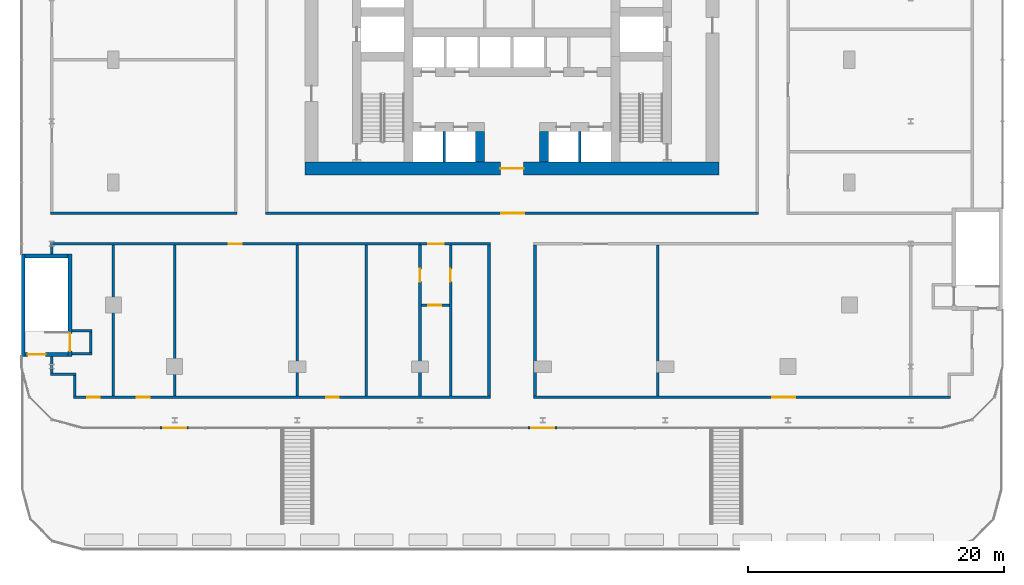
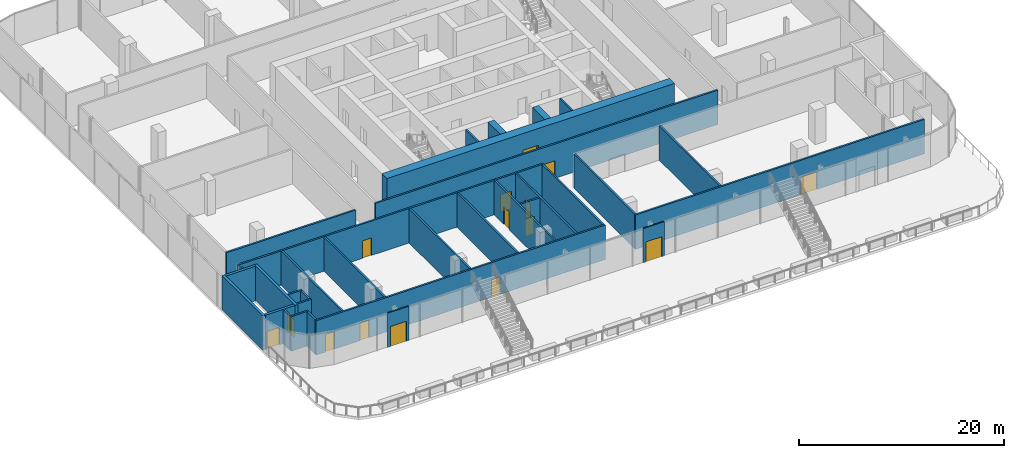
# One storey, part 22 of 32: 34 walls, 15 doors, 15 openings.
"""IFC4 building model written with IfcOpenShell, lengths in metres."""

from ifc_helpers import new_model, si_unit, direction, frame, frame_2d, origin, place, context, subcontext, project, spatial, rectangle, extrude, material, layer, layer_set, type_object, element, fill, save


model = new_model("IFC4")

# Units and contexts
model_context = context("Model", 3, precision=1e-05, world=origin(), true_north=direction((0.0, 1.0)))
body_context = subcontext(model_context, "Body", "Model", "MODEL_VIEW")
ifc_project = project(units=[si_unit("LENGTHUNIT", "METRE"), si_unit("AREAUNIT", "SQUARE_METRE"), si_unit("VOLUMEUNIT", "CUBIC_METRE"), si_unit("PLANEANGLEUNIT", "RADIAN"), si_unit("MASSUNIT", "GRAM", prefix="KILO")], contexts=[model_context])

# Site, building, storey
site_placement = place(None, origin())
site = spatial("IfcSite", under=ifc_project, at=site_placement, CompositionType="ELEMENT")
building_placement = place(site_placement, origin())
building = spatial("IfcBuilding", under=site, at=building_placement, Name="Madar Terraces", CompositionType="ELEMENT")
storey_placement = place(building_placement, frame((0.0, 0.0, 19.5)))
storey = spatial("IfcBuildingStorey", under=building, at=storey_placement, Name="L04", CompositionType="ELEMENT", Elevation=19.5)

# Walls
ifc_material_1 = material(Name="Concrete C80/95", Category="concrete")
ifc_layer_1 = layer(ifc_material_1, 0.699951171875)
ifc_layer_set_1 = layer_set([ifc_layer_1], Name="Concrete C80/95 (CIW1 RC wall 700)")
wall_type_1 = type_object("IfcWallType", Name="CIW1 RC wall 700", PredefinedType="SHEAR", material=ifc_layer_set_1)
for number, where, z_axis, x_axis, name in (
    (1, (28.699951171875, 16.0, 0.0), (0.0, 0.0, 1.0), (0.0, 1.0, 0.0), "CORE SHAFT WALL"),
    (2, (33.699951171875, 16.0, 0.0), (0.0, 0.0, 1.0), (0.0, 1.0, 0.0), "CORE SHAFT WALL"),
):
    element("IfcWall", number, at=place(storey_placement, frame(where, z_axis=z_axis, x_axis=x_axis)), inside=storey, type_object=wall_type_1, Name=name, PredefinedType="SHEAR", context=body_context, shape_type="SweptSolid", body=[
        extrude(rectangle(XDim=2.39990234375, YDim=0.699951171875, at=frame_2d((1.199951171875, 0.0))), origin(), (0.0, 0.0, 1.0), 4.10009765625),
    ])

# Wall, opening, door
ifc_material_2 = material(Name="Concrete C80/95", Category="concrete")
ifc_layer_2 = layer(ifc_material_2, 1.0)
ifc_layer_set_2 = layer_set([ifc_layer_2], Name="Concrete C80/95 (CRW1 RC wall 1000)")
wall_type_2 = type_object("IfcWallType", Name="CRW1 RC wall 1000", PredefinedType="SHEAR", material=ifc_layer_set_2)
wall_1_placement = place(storey_placement, frame((15.0, 15.5, 0.0), z_axis=(0.0, 0.0, 1.0), x_axis=(1.0, 0.0, 0.0)))
wall_1 = element("IfcWall", 3, at=wall_1_placement, inside=storey, type_object=wall_type_2, Name="CORE OUTER WALL", PredefinedType="SHEAR", context=body_context, shape_type="SweptSolid", body=[
    extrude(rectangle(XDim=32.39990234375, YDim=1.0, at=frame_2d((16.199951171875, 0.0))), origin(), (0.0, 0.0, 1.0), 4.10009765625),
])
opening_1_placement = place(wall_1_placement, frame((15.300048828125, 0.0, 0.0)))
opening_1 = element("IfcOpeningElement", 4, at=opening_1_placement, cuts=wall_1, Name="Opening KD1", PredefinedType="OPENING", context=body_context, shape_type="SweptSolid", body=[
    extrude(rectangle(XDim=1.800048828125, YDim=2.10009765625, at=frame_2d((0.89990234375, 1.050048828125))), frame((0.0, 0.510009765625, 0.0), z_axis=(0.0, -1.0, 0.0), x_axis=(1.0, 0.0, 0.0)), (0.0, 0.0, 1.0), 1.02001953125),
])
ifc_material_3 = material(Name="Steel door leaf", Category="steel")
door_type_1 = type_object("IfcDoorType", Name="Lobby door pair 1800 x 2100", OperationType="DOUBLE_DOOR_SINGLE_SWING", PredefinedType="DOOR", material=ifc_material_3)
door_1_placement = place(opening_1_placement, frame((1.800048828125, 0.0, 0.0), z_axis=(0.0, 0.0, 1.0), x_axis=(-1.0, 0.0, 0.0)))
door_1 = element("IfcDoor", 5, at=door_1_placement, inside=storey, type_object=door_type_1, Name="LIFT LOBBY DOOR", OperationType="DOUBLE_DOOR_SINGLE_SWING", OverallHeight=2.10009765625, OverallWidth=1.800048828125, PredefinedType="DOOR", context=body_context, shape_type="SweptSolid", body=[
    extrude(rectangle(XDim=1.800048828125, YDim=2.10009765625, at=frame_2d((0.89990234375, 1.050048828125))), frame((0.0, 0.02490234375, 0.0), z_axis=(0.0, -1.0, 0.0), x_axis=(1.0, 0.0, 0.0)), (0.0, 0.0, 1.0), 0.050048828125),
])
fill(opening_1, door_1)

# Walls
ifc_material_4 = material(Name="Concrete C40/50", Category="concrete")
ifc_layer_3 = layer(ifc_material_4, 0.199951171875)
ifc_layer_set_3 = layer_set([ifc_layer_3], Name="Core shaft dividing wall 200 C40/50")
wall_type_3 = type_object("IfcWallType", Name="Core shaft dividing wall 200 C40/50", PredefinedType="SOLIDWALL", material=ifc_layer_set_3)
for number, where, z_axis, x_axis, name in (
    (6, (25.89990234375, 16.0, 0.0), (0.0, 0.0, 1.0), (0.0, 1.0, 0.0), "SHAFT DIVIDING WALL"),
    (7, (36.5, 16.0, 0.0), (0.0, 0.0, 1.0), (0.0, 1.0, 0.0), "SHAFT DIVIDING WALL"),
):
    element("IfcWall", number, at=place(storey_placement, frame(where, z_axis=z_axis, x_axis=x_axis)), inside=storey, type_object=wall_type_3, Name=name, PredefinedType="SOLIDWALL", context=body_context, shape_type="SweptSolid", body=[
        extrude(rectangle(XDim=2.39990234375, YDim=0.199951171875, at=frame_2d((1.199951171875, 0.0))), origin(), (0.0, 0.0, 1.0), 4.10009765625),
    ])

# Wall, opening, door
ifc_material_5 = material(Name="Aluminium composite panel, black, over insulated backing", Category="aluminium")
ifc_layer_4 = layer(ifc_material_5, 0.14990234375)
ifc_layer_set_4 = layer_set([ifc_layer_4], Name="Facade bay panel 150")
wall_type_4 = type_object("IfcWallType", Name="Facade bay panel 150", PredefinedType="SOLIDWALL", material=ifc_layer_set_4)
wall_2_placement = place(storey_placement, frame((3.60009765625, -4.800048828125, 0.0), z_axis=(0.0, 0.0, 1.0), x_axis=(1.0, 0.0, 0.0)))
wall_2 = element("IfcWall", 8, at=wall_2_placement, inside=storey, type_object=wall_type_4, Name="Facade bay panel", PredefinedType="SOLIDWALL", context=body_context, shape_type="SweptSolid", body=[
    extrude(rectangle(XDim=2.39990234375, YDim=0.14990234375, at=frame_2d((1.199951171875, 0.0))), origin(), (0.0, 0.0, 1.0), 4.10009765625),
])
opening_2_placement = place(wall_2_placement, frame((0.300048828125, 0.0, 0.0)))
opening_2 = element("IfcOpeningElement", 9, at=opening_2_placement, cuts=wall_2, Name="Opening ED1", PredefinedType="OPENING", context=body_context, shape_type="SweptSolid", body=[
    extrude(rectangle(XDim=1.800048828125, YDim=2.39990234375, at=frame_2d((0.89990234375, 1.199951171875))), frame((0.0, 0.0849609375, 0.0), z_axis=(0.0, -1.0, 0.0), x_axis=(1.0, 0.0, 0.0)), (0.0, 0.0, 1.0), 0.169921875),
])
ifc_material_6 = material(Name="Glass, clear, with black aluminium frame", Category="aluminium")
door_type_2 = type_object("IfcDoorType", Name="Balcony and terrace sliding door 1800 x 2400", OperationType="SLIDING_TO_LEFT", PredefinedType="DOOR", material=ifc_material_6)
door_2_placement = place(opening_2_placement, origin())
door_2 = element("IfcDoor", 10, at=door_2_placement, inside=storey, type_object=door_type_2, Name="Balcony door", OperationType="SLIDING_TO_LEFT", OverallHeight=2.39990234375, OverallWidth=1.800048828125, PredefinedType="DOOR", context=body_context, shape_type="SweptSolid", body=[
    extrude(rectangle(XDim=1.800048828125, YDim=2.39990234375, at=frame_2d((0.89990234375, 1.199951171875))), frame((0.0, 0.02490234375, 0.0), z_axis=(0.0, -1.0, 0.0), x_axis=(1.0, 0.0, 0.0)), (0.0, 0.0, 1.0), 0.050048828125),
])
fill(opening_2, door_2)

wall_3_placement = place(storey_placement, frame((32.39990234375, -4.800048828125, 0.0), z_axis=(0.0, 0.0, 1.0), x_axis=(1.0, 0.0, 0.0)))
wall_3 = element("IfcWall", 11, at=wall_3_placement, inside=storey, type_object=wall_type_4, Name="Facade bay panel", PredefinedType="SOLIDWALL", context=body_context, shape_type="SweptSolid", body=[
    extrude(rectangle(XDim=2.400146484375, YDim=0.14990234375, at=frame_2d((1.2001953125, 0.0))), origin(), (0.0, 0.0, 1.0), 4.10009765625),
])
opening_3_placement = place(wall_3_placement, frame((0.300048828125, 0.0, 0.0)))
opening_3 = element("IfcOpeningElement", 12, at=opening_3_placement, cuts=wall_3, Name="Opening ED1", PredefinedType="OPENING", context=body_context, shape_type="SweptSolid", body=[
    extrude(rectangle(XDim=1.800048828125, YDim=2.39990234375, at=frame_2d((0.89990234375, 1.199951171875))), frame((0.0, 0.0849609375, 0.0), z_axis=(0.0, -1.0, 0.0), x_axis=(1.0, 0.0, 0.0)), (0.0, 0.0, 1.0), 0.169921875),
])
door_3_placement = place(opening_3_placement, origin())
door_3 = element("IfcDoor", 13, at=door_3_placement, inside=storey, type_object=door_type_2, Name="Balcony door", OperationType="SLIDING_TO_RIGHT", OverallHeight=2.39990234375, OverallWidth=1.800048828125, PredefinedType="DOOR", context=body_context, shape_type="SweptSolid", body=[
    extrude(rectangle(XDim=1.800048828125, YDim=2.39990234375, at=frame_2d((0.89990234375, 1.199951171875))), frame((0.0, 0.02490234375, 0.0), z_axis=(0.0, -1.0, 0.0), x_axis=(1.0, 0.0, 0.0)), (0.0, 0.0, 1.0), 0.050048828125),
])
fill(opening_3, door_3)

# Wall, openings, doors
ifc_material_7 = material(Name="Gypsum board partition, fire-rated")
ifc_layer_5 = layer(ifc_material_7, 0.199951171875)
ifc_layer_set_5 = layer_set([ifc_layer_5], Name="Partition 200 EI 60")
wall_type_5 = type_object("IfcWallType", Name="Partition 200 EI 60", PredefinedType="PARTITIONING", material=ifc_layer_set_5)
wall_4_placement = place(storey_placement, frame((-3.10009765625, -2.39990234375, 0.0), z_axis=(0.0, 0.0, 1.0), x_axis=(1.0, 0.0, 0.0)))
wall_4 = element("IfcWall", 14, at=wall_4_placement, inside=storey, type_object=wall_type_5, Name="Wall ACCESSIBLE WC + FITNESS STUDIO", PredefinedType="PARTITIONING", context=body_context, shape_type="SweptSolid", body=[
    extrude(rectangle(XDim=32.60009765625, YDim=0.199951171875, at=frame_2d((16.300048828125, 0.0))), origin(), (0.0, 0.0, 1.0), 4.10009765625),
])
opening_4_placement = place(wall_4_placement, frame((1.050048828125, 0.0, 0.0)))
opening_4 = element("IfcOpeningElement", 15, at=opening_4_placement, cuts=wall_4, Name="Opening D31", PredefinedType="OPENING", context=body_context, shape_type="SweptSolid", body=[
    extrude(rectangle(XDim=1.0, YDim=2.10009765625, at=frame_2d((0.5, 1.050048828125))), frame((0.0, 0.10986328125, 0.0), z_axis=(0.0, -1.0, 0.0), x_axis=(1.0, 0.0, 0.0)), (0.0, 0.0, 1.0), 0.219970703125),
])
opening_5_placement = place(wall_4_placement, frame((4.949951171875, 0.0, 0.0)))
opening_5 = element("IfcOpeningElement", 16, at=opening_5_placement, cuts=wall_4, Name="Opening D31", PredefinedType="OPENING", context=body_context, shape_type="SweptSolid", body=[
    extrude(rectangle(XDim=1.0, YDim=2.10009765625, at=frame_2d((0.5, 1.050048828125))), frame((0.0, 0.10986328125, 0.0), z_axis=(0.0, -1.0, 0.0), x_axis=(1.0, 0.0, 0.0)), (0.0, 0.0, 1.0), 0.219970703125),
])
opening_6_placement = place(wall_4_placement, frame((19.75, 0.0, 0.0)))
opening_6 = element("IfcOpeningElement", 17, at=opening_6_placement, cuts=wall_4, Name="Opening D31", PredefinedType="OPENING", context=body_context, shape_type="SweptSolid", body=[
    extrude(rectangle(XDim=1.0, YDim=2.10009765625, at=frame_2d((0.5, 1.050048828125))), frame((0.0, 0.10986328125, 0.0), z_axis=(0.0, -1.0, 0.0), x_axis=(1.0, 0.0, 0.0)), (0.0, 0.0, 1.0), 0.219970703125),
])
ifc_material_8 = material(Name="Timber door leaf, fire-rated", Category="wood")
door_type_3 = type_object("IfcDoorType", Name="Podium door 1000 x 2100 FD30S", OperationType="NOTDEFINED", PredefinedType="DOOR", material=ifc_material_8)
door_4_placement = place(opening_4_placement, origin())
door_4 = element("IfcDoor", 18, at=door_4_placement, inside=storey, type_object=door_type_3, Name="Door GYMNASIUM / PODIUM CORRIDOR", OperationType="SINGLE_SWING_LEFT", OverallHeight=2.10009765625, OverallWidth=1.0, PredefinedType="DOOR", context=body_context, shape_type="SweptSolid", body=[
    extrude(rectangle(XDim=1.0, YDim=2.10009765625, at=frame_2d((0.5, 1.050048828125))), frame((0.0, 0.02490234375, 0.0), z_axis=(0.0, -1.0, 0.0), x_axis=(1.0, 0.0, 0.0)), (0.0, 0.0, 1.0), 0.050048828125),
])
fill(opening_4, door_4)
door_5_placement = place(opening_5_placement, origin())
door_5 = element("IfcDoor", 19, at=door_5_placement, inside=storey, type_object=door_type_3, Name="Door FREE WEIGHTS GYM / PODIUM CORRIDOR", OperationType="SINGLE_SWING_LEFT", OverallHeight=2.10009765625, OverallWidth=1.0, PredefinedType="DOOR", context=body_context, shape_type="SweptSolid", body=[
    extrude(rectangle(XDim=1.0, YDim=2.10009765625, at=frame_2d((0.5, 1.050048828125))), frame((0.0, 0.02490234375, 0.0), z_axis=(0.0, -1.0, 0.0), x_axis=(1.0, 0.0, 0.0)), (0.0, 0.0, 1.0), 0.050048828125),
])
fill(opening_5, door_5)
door_6_placement = place(opening_6_placement, origin())
door_6 = element("IfcDoor", 20, at=door_6_placement, inside=storey, type_object=door_type_3, Name="Door YOGA STUDIO / PODIUM CORRIDOR", OperationType="SINGLE_SWING_RIGHT", OverallHeight=2.10009765625, OverallWidth=1.0, PredefinedType="DOOR", context=body_context, shape_type="SweptSolid", body=[
    extrude(rectangle(XDim=1.0, YDim=2.10009765625, at=frame_2d((0.5, 1.050048828125))), frame((0.0, 0.02490234375, 0.0), z_axis=(0.0, -1.0, 0.0), x_axis=(1.0, 0.0, 0.0)), (0.0, 0.0, 1.0), 0.050048828125),
])
fill(opening_6, door_6)

# Wall, opening, door
wall_5_placement = place(storey_placement, frame((32.89990234375, -2.39990234375, 0.0), z_axis=(0.0, 0.0, 1.0), x_axis=(1.0, 0.0, 0.0)))
wall_5 = element("IfcWall", 21, at=wall_5_placement, inside=storey, type_object=wall_type_5, Name="Wall LAUNDRETTE + RESIDENTS LOUNGE", PredefinedType="PARTITIONING", context=body_context, shape_type="SweptSolid", body=[
    extrude(rectangle(XDim=32.60009765625, YDim=0.199951171875, at=frame_2d((16.300048828125, 0.0))), origin(), (0.0, 0.0, 1.0), 4.10009765625),
])
opening_7_placement = place(wall_5_placement, frame((18.64990234375, 0.0, 0.0)))
opening_7 = element("IfcOpeningElement", 22, at=opening_7_placement, cuts=wall_5, Name="Opening D30", PredefinedType="OPENING", context=body_context, shape_type="SweptSolid", body=[
    extrude(rectangle(XDim=1.800048828125, YDim=2.10009765625, at=frame_2d((0.89990234375, 1.050048828125))), frame((0.0, 0.10986328125, 0.0), z_axis=(0.0, -1.0, 0.0), x_axis=(1.0, 0.0, 0.0)), (0.0, 0.0, 1.0), 0.219970703125),
])
ifc_material_9 = material(Name="Timber door leaf, fire-rated", Category="wood")
door_type_4 = type_object("IfcDoorType", Name="Podium double door 1800 x 2100 FD30S", OperationType="DOUBLE_DOOR_SINGLE_SWING", PredefinedType="DOOR", material=ifc_material_9)
door_7_placement = place(opening_7_placement, origin())
door_7 = element("IfcDoor", 23, at=door_7_placement, inside=storey, type_object=door_type_4, Name="Door RESIDENTS LOUNGE / PODIUM CORRIDOR", OperationType="DOUBLE_DOOR_SINGLE_SWING", OverallHeight=2.10009765625, OverallWidth=1.800048828125, PredefinedType="DOOR", context=body_context, shape_type="SweptSolid", body=[
    extrude(rectangle(XDim=1.800048828125, YDim=2.10009765625, at=frame_2d((0.89990234375, 1.050048828125))), frame((0.0, 0.02490234375, 0.0), z_axis=(0.0, -1.0, 0.0), x_axis=(1.0, 0.0, 0.0)), (0.0, 0.0, 1.0), 0.050048828125),
])
fill(opening_7, door_7)

# Walls
wall_6_placement = place(storey_placement, frame((-4.89990234375, -0.60009765625, 0.0), z_axis=(0.0, 0.0, 1.0), x_axis=(1.0, 0.0, 0.0)))
element("IfcWall", 24, at=wall_6_placement, inside=storey, type_object=wall_type_5, Name="Wall GYMNASIUM / PODIUM CORRIDOR", PredefinedType="PARTITIONING", context=body_context, shape_type="SweptSolid", body=[
    extrude(rectangle(XDim=2.0, YDim=0.199951171875, at=frame_2d((1.0, 0.0))), origin(), (0.0, 0.0, 1.0), 4.10009765625),
])
for number, where, z_axis, x_axis, name in (
    (25, (-3.25, 1.0, 0.0), (0.0, 0.0, 1.0), (1.0, 0.0, 0.0), "Wall GYMNASIUM / PODIUM CORRIDOR"),
    (26, (-3.25, 2.800048828125, 0.0), (0.0, 0.0, 1.0), (1.0, 0.0, 0.0), "Wall GYMNASIUM / PODIUM CORRIDOR"),
):
    element("IfcWall", number, at=place(storey_placement, frame(where, z_axis=z_axis, x_axis=x_axis)), inside=storey, type_object=wall_type_5, Name=name, PredefinedType="PARTITIONING", context=body_context, shape_type="SweptSolid", body=[
        extrude(rectangle(XDim=1.60009765625, YDim=0.199951171875, at=frame_2d((0.800048828125, 0.0))), origin(), (0.0, 0.0, 1.0), 4.10009765625),
    ])

# Wall, opening, door
wall_7_placement = place(storey_placement, frame((26.300048828125, 4.800048828125, 0.0), z_axis=(0.0, 0.0, 1.0), x_axis=(-1.0, 0.0, 0.0)))
wall_7 = element("IfcWall", 27, at=wall_7_placement, inside=storey, type_object=wall_type_5, Name="Wall WC LOBBY / ACCESSIBLE WC", PredefinedType="PARTITIONING", context=body_context, shape_type="SweptSolid", body=[
    extrude(rectangle(XDim=2.199951171875, YDim=0.199951171875, at=frame_2d((1.10009765625, 0.0))), origin(), (0.0, 0.0, 1.0), 4.10009765625),
])
opening_8_placement = place(wall_7_placement, frame((0.64990234375, 0.0, 0.0)))
opening_8 = element("IfcOpeningElement", 28, at=opening_8_placement, cuts=wall_7, Name="Opening D31", PredefinedType="OPENING", context=body_context, shape_type="SweptSolid", body=[
    extrude(rectangle(XDim=1.0, YDim=2.10009765625, at=frame_2d((0.5, 1.050048828125))), frame((0.0, 0.10986328125, 0.0), z_axis=(0.0, -1.0, 0.0), x_axis=(1.0, 0.0, 0.0)), (0.0, 0.0, 1.0), 0.219970703125),
])
door_8_placement = place(opening_8_placement, origin())
door_8 = element("IfcDoor", 29, at=door_8_placement, inside=storey, type_object=door_type_3, Name="Door WC LOBBY / ACCESSIBLE WC", OperationType="SINGLE_SWING_RIGHT", OverallHeight=2.10009765625, OverallWidth=1.0, PredefinedType="DOOR", context=body_context, shape_type="SweptSolid", body=[
    extrude(rectangle(XDim=1.0, YDim=2.10009765625, at=frame_2d((0.5, 1.050048828125))), frame((0.0, 0.02490234375, 0.0), z_axis=(0.0, -1.0, 0.0), x_axis=(1.0, 0.0, 0.0)), (0.0, 0.0, 1.0), 0.050048828125),
])
fill(opening_8, door_8)

wall_8_placement = place(storey_placement, frame((24.0, 9.60009765625, 0.0), z_axis=(0.0, 0.0, 1.0), x_axis=(-1.0, 0.0, 0.0)))
wall_8 = element("IfcWall", 30, at=wall_8_placement, inside=storey, type_object=wall_type_5, Name="Wall FITNESS STUDIO + FREE WEIGHTS GYM", PredefinedType="PARTITIONING", context=body_context, shape_type="SweptSolid", body=[
    extrude(rectangle(XDim=28.89990234375, YDim=0.199951171875, at=frame_2d((14.449951171875, 0.0))), origin(), (0.0, 0.0, 1.0), 4.10009765625),
])
opening_9_placement = place(wall_8_placement, frame((13.949951171875, 0.0, 0.0)))
opening_9 = element("IfcOpeningElement", 31, at=opening_9_placement, cuts=wall_8, Name="Opening D31", PredefinedType="OPENING", context=body_context, shape_type="SweptSolid", body=[
    extrude(rectangle(XDim=1.0, YDim=2.10009765625, at=frame_2d((0.5, 1.050048828125))), frame((0.0, 0.10986328125, 0.0), z_axis=(0.0, -1.0, 0.0), x_axis=(1.0, 0.0, 0.0)), (0.0, 0.0, 1.0), 0.219970703125),
])
door_9_placement = place(opening_9_placement, origin())
door_9 = element("IfcDoor", 32, at=door_9_placement, inside=storey, type_object=door_type_3, Name="Door FITNESS STUDIO / PODIUM CORRIDOR", OperationType="SINGLE_SWING_RIGHT", OverallHeight=2.10009765625, OverallWidth=1.0, PredefinedType="DOOR", context=body_context, shape_type="SweptSolid", body=[
    extrude(rectangle(XDim=1.0, YDim=2.10009765625, at=frame_2d((0.5, 1.050048828125))), frame((0.0, 0.02490234375, 0.0), z_axis=(0.0, -1.0, 0.0), x_axis=(1.0, 0.0, 0.0)), (0.0, 0.0, 1.0), 0.050048828125),
])
fill(opening_9, door_9)

wall_9_placement = place(storey_placement, frame((24.0, 9.60009765625, 0.0), z_axis=(0.0, 0.0, 1.0), x_axis=(1.0, 0.0, 0.0)))
wall_9 = element("IfcWall", 33, at=wall_9_placement, inside=storey, type_object=wall_type_5, Name="Wall WC LOBBY + WC WOMEN", PredefinedType="PARTITIONING", context=body_context, shape_type="SweptSolid", body=[
    extrude(rectangle(XDim=5.5, YDim=0.199951171875, at=frame_2d((2.75, 0.0))), origin(), (0.0, 0.0, 1.0), 4.10009765625),
])
opening_10_placement = place(wall_9_placement, frame((0.64990234375, 0.0, 0.0)))
opening_10 = element("IfcOpeningElement", 34, at=opening_10_placement, cuts=wall_9, Name="Opening D32", PredefinedType="OPENING", context=body_context, shape_type="SweptSolid", body=[
    extrude(rectangle(XDim=1.199951171875, YDim=2.10009765625, at=frame_2d((0.60009765625, 1.050048828125))), frame((0.0, 0.10986328125, 0.0), z_axis=(0.0, -1.0, 0.0), x_axis=(1.0, 0.0, 0.0)), (0.0, 0.0, 1.0), 0.219970703125),
])
ifc_material_10 = material(Name="Timber door leaf, fire-rated", Category="wood")
door_type_5 = type_object("IfcDoorType", Name="Podium door 1200 x 2100 FD30S", OperationType="NOTDEFINED", PredefinedType="DOOR", material=ifc_material_10)
door_10_placement = place(opening_10_placement, origin())
door_10 = element("IfcDoor", 35, at=door_10_placement, inside=storey, type_object=door_type_5, Name="Door WC LOBBY / PODIUM CORRIDOR", OperationType="SINGLE_SWING_RIGHT", OverallHeight=2.10009765625, OverallWidth=1.199951171875, PredefinedType="DOOR", context=body_context, shape_type="SweptSolid", body=[
    extrude(rectangle(XDim=1.199951171875, YDim=2.10009765625, at=frame_2d((0.60009765625, 1.050048828125))), frame((0.0, 0.02490234375, 0.0), z_axis=(0.0, -1.0, 0.0), x_axis=(1.0, 0.0, 0.0)), (0.0, 0.0, 1.0), 0.050048828125),
])
fill(opening_10, door_10)

# Wall
wall_10_placement = place(storey_placement, frame((-4.89990234375, 12.0, 0.0), z_axis=(0.0, 0.0, 1.0), x_axis=(1.0, 0.0, 0.0)))
element("IfcWall", 36, at=wall_10_placement, inside=storey, type_object=wall_type_5, Name="Wall CHANGING ROOM / PODIUM CORRIDOR", PredefinedType="PARTITIONING", context=body_context, shape_type="SweptSolid", body=[
    extrude(rectangle(XDim=14.599853515625, YDim=0.199951171875, at=frame_2d((7.2998046875, 0.0))), origin(), (0.0, 0.0, 1.0), 4.10009765625),
])

# Wall, opening, door
wall_11_placement = place(storey_placement, frame((11.89990234375, 12.0, 0.0), z_axis=(0.0, 0.0, 1.0), x_axis=(1.0, 0.0, 0.0)))
wall_11 = element("IfcWall", 37, at=wall_11_placement, inside=storey, type_object=wall_type_5, Name="Wall PODIUM CORRIDOR / RING CORRIDOR", PredefinedType="PARTITIONING", context=body_context, shape_type="SweptSolid", body=[
    extrude(rectangle(XDim=38.60009765625, YDim=0.199951171875, at=frame_2d((19.300048828125, 0.0))), origin(), (0.0, 0.0, 1.0), 4.10009765625),
])
opening_11_placement = place(wall_11_placement, frame((18.449951171875, 0.0, 0.0)))
opening_11 = element("IfcOpeningElement", 38, at=opening_11_placement, cuts=wall_11, Name="Opening D30", PredefinedType="OPENING", context=body_context, shape_type="SweptSolid", body=[
    extrude(rectangle(XDim=1.800048828125, YDim=2.10009765625, at=frame_2d((0.89990234375, 1.050048828125))), frame((0.0, 0.10986328125, 0.0), z_axis=(0.0, -1.0, 0.0), x_axis=(1.0, 0.0, 0.0)), (0.0, 0.0, 1.0), 0.219970703125),
])
door_11_placement = place(opening_11_placement, origin())
door_11 = element("IfcDoor", 39, at=door_11_placement, inside=storey, type_object=door_type_4, Name="Door PODIUM CORRIDOR / RING CORRIDOR", OperationType="DOUBLE_DOOR_SINGLE_SWING", OverallHeight=2.10009765625, OverallWidth=1.800048828125, PredefinedType="DOOR", context=body_context, shape_type="SweptSolid", body=[
    extrude(rectangle(XDim=1.800048828125, YDim=2.10009765625, at=frame_2d((0.89990234375, 1.050048828125))), frame((0.0, 0.02490234375, 0.0), z_axis=(0.0, -1.0, 0.0), x_axis=(1.0, 0.0, 0.0)), (0.0, 0.0, 1.0), 0.050048828125),
])
fill(opening_11, door_11)

# Walls
wall_12_placement = place(storey_placement, frame((-4.800048828125, -0.5, 0.0), z_axis=(0.0, 0.0, 1.0), x_axis=(0.0, 1.0, 0.0)))
element("IfcWall", 40, at=wall_12_placement, inside=storey, type_object=wall_type_5, Name="Wall GYMNASIUM / PODIUM CORRIDOR", PredefinedType="PARTITIONING", context=body_context, shape_type="SweptSolid", body=[
    extrude(rectangle(XDim=1.300048828125, YDim=0.199951171875, at=frame_2d((0.64990234375, 0.0))), origin(), (0.0, 0.0, 1.0), 4.10009765625),
])
wall_13_placement = place(storey_placement, frame((-4.800048828125, 8.800048828125, 0.0), z_axis=(0.0, 0.0, 1.0), x_axis=(0.0, 1.0, 0.0)))
element("IfcWall", 41, at=wall_13_placement, inside=storey, type_object=wall_type_5, Name="Wall GYMNASIUM / PODIUM CORRIDOR", PredefinedType="PARTITIONING", context=body_context, shape_type="SweptSolid", body=[
    extrude(rectangle(XDim=0.699951171875, YDim=0.199951171875, at=frame_2d((0.35009765625, 0.0))), origin(), (0.0, 0.0, 1.0), 4.10009765625),
])
wall_14_placement = place(storey_placement, frame((-3.0, -2.300048828125, 0.0), z_axis=(0.0, 0.0, 1.0), x_axis=(0.0, 1.0, 0.0)))
element("IfcWall", 42, at=wall_14_placement, inside=storey, type_object=wall_type_5, Name="Wall GYMNASIUM / PODIUM CORRIDOR", PredefinedType="PARTITIONING", context=body_context, shape_type="SweptSolid", body=[
    extrude(rectangle(XDim=1.60009765625, YDim=0.199951171875, at=frame_2d((0.800048828125, 0.0))), origin(), (0.0, 0.0, 1.0), 4.10009765625),
])
wall_15_placement = place(storey_placement, frame((-1.75, 1.10009765625, 0.0), z_axis=(0.0, 0.0, 1.0), x_axis=(0.0, 1.0, 0.0)))
element("IfcWall", 43, at=wall_15_placement, inside=storey, type_object=wall_type_5, Name="Wall GYMNASIUM / PODIUM CORRIDOR", PredefinedType="PARTITIONING", context=body_context, shape_type="SweptSolid", body=[
    extrude(rectangle(XDim=1.599853515625, YDim=0.199951171875, at=frame_2d((0.7998046875, 0.0))), origin(), (0.0, 0.0, 1.0), 4.10009765625),
])
for number, where, z_axis, x_axis, name in (
    (44, (0.0, -2.300048828125, 0.0), (0.0, 0.0, 1.0), (0.0, 1.0, 0.0), "Wall GYMNASIUM / FREE WEIGHTS GYM"),
    (45, (4.800048828125, -2.300048828125, 0.0), (0.0, 0.0, 1.0), (0.0, 1.0, 0.0), "Wall FREE WEIGHTS GYM / FITNESS STUDIO"),
    (46, (14.39990234375, -2.300048828125, 0.0), (0.0, 0.0, 1.0), (0.0, 1.0, 0.0), "Wall FITNESS STUDIO / YOGA STUDIO"),
    (47, (19.800048828125, -2.300048828125, 0.0), (0.0, 0.0, 1.0), (0.0, 1.0, 0.0), "Wall YOGA STUDIO / WC MEN"),
):
    element("IfcWall", number, at=place(storey_placement, frame(where, z_axis=z_axis, x_axis=x_axis)), inside=storey, type_object=wall_type_5, Name=name, PredefinedType="PARTITIONING", context=body_context, shape_type="SweptSolid", body=[
        extrude(rectangle(XDim=11.800048828125, YDim=0.199951171875, at=frame_2d((5.89990234375, 0.0))), origin(), (0.0, 0.0, 1.0), 4.10009765625),
    ])

# Wall, opening, door
wall_16_placement = place(storey_placement, frame((24.0, -2.300048828125, 0.0), z_axis=(0.0, 0.0, 1.0), x_axis=(0.0, 1.0, 0.0)))
wall_16 = element("IfcWall", 48, at=wall_16_placement, inside=storey, type_object=wall_type_5, Name="Wall WC LOBBY + WC MEN", PredefinedType="PARTITIONING", context=body_context, shape_type="SweptSolid", body=[
    extrude(rectangle(XDim=11.800048828125, YDim=0.199951171875, at=frame_2d((5.89990234375, 0.0))), origin(), (0.0, 0.0, 1.0), 4.10009765625),
])
opening_12_placement = place(wall_16_placement, frame((8.949951171875, 0.0, 0.0)))
opening_12 = element("IfcOpeningElement", 49, at=opening_12_placement, cuts=wall_16, Name="Opening D31", PredefinedType="OPENING", context=body_context, shape_type="SweptSolid", body=[
    extrude(rectangle(XDim=1.0, YDim=2.10009765625, at=frame_2d((0.5, 1.050048828125))), frame((0.0, 0.10986328125, 0.0), z_axis=(0.0, -1.0, 0.0), x_axis=(1.0, 0.0, 0.0)), (0.0, 0.0, 1.0), 0.219970703125),
])
door_12_placement = place(opening_12_placement, origin())
door_12 = element("IfcDoor", 50, at=door_12_placement, inside=storey, type_object=door_type_3, Name="Door WC LOBBY / WC MEN", OperationType="SINGLE_SWING_RIGHT", OverallHeight=2.10009765625, OverallWidth=1.0, PredefinedType="DOOR", context=body_context, shape_type="SweptSolid", body=[
    extrude(rectangle(XDim=1.0, YDim=2.10009765625, at=frame_2d((0.5, 1.050048828125))), frame((0.0, 0.02490234375, 0.0), z_axis=(0.0, -1.0, 0.0), x_axis=(1.0, 0.0, 0.0)), (0.0, 0.0, 1.0), 0.050048828125),
])
fill(opening_12, door_12)

wall_17_placement = place(storey_placement, frame((26.39990234375, 9.5, 0.0), z_axis=(0.0, 0.0, 1.0), x_axis=(0.0, -1.0, 0.0)))
wall_17 = element("IfcWall", 51, at=wall_17_placement, inside=storey, type_object=wall_type_5, Name="Wall WC LOBBY + WC WOMEN", PredefinedType="PARTITIONING", context=body_context, shape_type="SweptSolid", body=[
    extrude(rectangle(XDim=11.800048828125, YDim=0.199951171875, at=frame_2d((5.89990234375, 0.0))), origin(), (0.0, 0.0, 1.0), 4.10009765625),
])
opening_13_placement = place(wall_17_placement, frame((1.85009765625, 0.0, 0.0)))
opening_13 = element("IfcOpeningElement", 52, at=opening_13_placement, cuts=wall_17, Name="Opening D31", PredefinedType="OPENING", context=body_context, shape_type="SweptSolid", body=[
    extrude(rectangle(XDim=1.0, YDim=2.10009765625, at=frame_2d((0.5, 1.050048828125))), frame((0.0, 0.10986328125, 0.0), z_axis=(0.0, -1.0, 0.0), x_axis=(1.0, 0.0, 0.0)), (0.0, 0.0, 1.0), 0.219970703125),
])
door_13_placement = place(opening_13_placement, origin())
door_13 = element("IfcDoor", 53, at=door_13_placement, inside=storey, type_object=door_type_3, Name="Door WC LOBBY / WC WOMEN", OperationType="SINGLE_SWING_RIGHT", OverallHeight=2.10009765625, OverallWidth=1.0, PredefinedType="DOOR", context=body_context, shape_type="SweptSolid", body=[
    extrude(rectangle(XDim=1.0, YDim=2.10009765625, at=frame_2d((0.5, 1.050048828125))), frame((0.0, 0.02490234375, 0.0), z_axis=(0.0, -1.0, 0.0), x_axis=(1.0, 0.0, 0.0)), (0.0, 0.0, 1.0), 0.050048828125),
])
fill(opening_13, door_13)

# Walls
for number, where, z_axis, x_axis, name in (
    (54, (29.39990234375, -2.300048828125, 0.0), (0.0, 0.0, 1.0), (0.0, 1.0, 0.0), "Wall WC WOMEN / PODIUM CORRIDOR"),
    (55, (33.0, -2.300048828125, 0.0), (0.0, 0.0, 1.0), (0.0, 1.0, 0.0), "Wall RESIDENTS LOUNGE / PODIUM CORRIDOR"),
    (56, (42.60009765625, -2.300048828125, 0.0), (0.0, 0.0, 1.0), (0.0, 1.0, 0.0), "Wall RESIDENTS LOUNGE / RESIDENTS LOUNGE"),
):
    element("IfcWall", number, at=place(storey_placement, frame(where, z_axis=z_axis, x_axis=x_axis)), inside=storey, type_object=wall_type_5, Name=name, PredefinedType="PARTITIONING", context=body_context, shape_type="SweptSolid", body=[
        extrude(rectangle(XDim=11.800048828125, YDim=0.199951171875, at=frame_2d((5.89990234375, 0.0))), origin(), (0.0, 0.0, 1.0), 4.10009765625),
    ])

# Wall, opening, door
ifc_material_11 = material(Name="Concrete C40/50", Category="concrete")
ifc_layer_6 = layer(ifc_material_11, 0.300048828125)
ifc_layer_set_6 = layer_set([ifc_layer_6], Name="Podium stair wall 300 C40/50")
wall_type_6 = type_object("IfcWallType", Name="Podium stair wall 300 C40/50", PredefinedType="SOLIDWALL", material=ifc_layer_set_6)
wall_18_placement = place(storey_placement, frame((-3.39990234375, 0.800048828125, 0.0), z_axis=(0.0, 0.0, 1.0), x_axis=(0.0, 1.0, 0.0)))
wall_18 = element("IfcWall", 57, at=wall_18_placement, inside=storey, type_object=wall_type_6, Name="PODIUM STAIR WALL", PredefinedType="SOLIDWALL", context=body_context, shape_type="SweptSolid", body=[
    extrude(rectangle(XDim=8.0, YDim=0.300048828125, at=frame_2d((4.0, 0.0))), origin(), (0.0, 0.0, 1.0), 4.10009765625),
])
opening_14_placement = place(wall_18_placement, frame((0.39990234375, 0.0, 0.0)))
opening_14 = element("IfcOpeningElement", 58, at=opening_14_placement, cuts=wall_18, Name="Opening PSD1", PredefinedType="OPENING", context=body_context, shape_type="SweptSolid", body=[
    extrude(rectangle(XDim=1.39990234375, YDim=2.10009765625, at=frame_2d((0.699951171875, 1.050048828125))), frame((0.0, 0.159912109375, 0.0), z_axis=(0.0, -1.0, 0.0), x_axis=(1.0, 0.0, 0.0)), (0.0, 0.0, 1.0), 0.320068359375),
])
ifc_material_12 = material(Name="Steel door leaf", Category="steel")
door_type_6 = type_object("IfcDoorType", Name="Podium stair door pair 1400 x 2100", OperationType="DOUBLE_DOOR_SINGLE_SWING", PredefinedType="DOOR", material=ifc_material_12)
door_14_placement = place(opening_14_placement, origin())
door_14 = element("IfcDoor", 59, at=door_14_placement, inside=storey, type_object=door_type_6, Name="STAIR DOOR", OperationType="DOUBLE_DOOR_SINGLE_SWING", OverallHeight=2.10009765625, OverallWidth=1.39990234375, PredefinedType="DOOR", context=body_context, shape_type="SweptSolid", body=[
    extrude(rectangle(XDim=1.39990234375, YDim=2.10009765625, at=frame_2d((0.699951171875, 1.050048828125))), frame((0.0, 0.02490234375, 0.0), z_axis=(0.0, -1.0, 0.0), x_axis=(1.0, 0.0, 0.0)), (0.0, 0.0, 1.0), 0.050048828125),
])
fill(opening_14, door_14)

wall_19_placement = place(storey_placement, frame((-6.89990234375, 0.949951171875, 0.0), z_axis=(0.0, 0.0, 1.0), x_axis=(1.0, 0.0, 0.0)))
wall_19 = element("IfcWall", 60, at=wall_19_placement, inside=storey, type_object=wall_type_6, Name="PODIUM STAIR WALL", PredefinedType="SOLIDWALL", context=body_context, shape_type="SweptSolid", body=[
    extrude(rectangle(XDim=3.349853515625, YDim=0.300048828125, at=frame_2d((1.6748046875, 0.0))), origin(), (0.0, 0.0, 1.0), 4.10009765625),
])
opening_15_placement = place(wall_19_placement, frame((0.199951171875, 0.0, 0.0)))
opening_15 = element("IfcOpeningElement", 61, at=opening_15_placement, cuts=wall_19, Name="Opening PSD1", PredefinedType="OPENING", context=body_context, shape_type="SweptSolid", body=[
    extrude(rectangle(XDim=1.39990234375, YDim=2.10009765625, at=frame_2d((0.699951171875, 1.050048828125))), frame((0.0, 0.159912109375, 0.0), z_axis=(0.0, -1.0, 0.0), x_axis=(1.0, 0.0, 0.0)), (0.0, 0.0, 1.0), 0.320068359375),
])
door_15_placement = place(opening_15_placement, origin())
door_15 = element("IfcDoor", 62, at=door_15_placement, inside=storey, type_object=door_type_6, Name="STAIR DOOR", OperationType="DOUBLE_DOOR_SINGLE_SWING", OverallHeight=2.10009765625, OverallWidth=1.39990234375, PredefinedType="DOOR", context=body_context, shape_type="SweptSolid", body=[
    extrude(rectangle(XDim=1.39990234375, YDim=2.10009765625, at=frame_2d((0.699951171875, 1.050048828125))), frame((0.0, 0.02490234375, 0.0), z_axis=(0.0, -1.0, 0.0), x_axis=(1.0, 0.0, 0.0)), (0.0, 0.0, 1.0), 0.050048828125),
])
fill(opening_15, door_15)

# Walls
wall_20_placement = place(storey_placement, frame((-6.89990234375, 8.64990234375, 0.0), z_axis=(0.0, 0.0, 1.0), x_axis=(1.0, 0.0, 0.0)))
element("IfcWall", 63, at=wall_20_placement, inside=storey, type_object=wall_type_6, Name="PODIUM STAIR WALL", PredefinedType="SOLIDWALL", context=body_context, shape_type="SweptSolid", body=[
    extrude(rectangle(XDim=3.349853515625, YDim=0.300048828125, at=frame_2d((1.6748046875, 0.0))), origin(), (0.0, 0.0, 1.0), 4.10009765625),
])
ifc_material_13 = material(Name="Concrete C40/50", Category="concrete")
ifc_layer_7 = layer(ifc_material_13, 0.300048828125)
ifc_layer_set_7 = layer_set([ifc_layer_7], Name="Podium stair wall 300 C40/50, external")
wall_type_7 = type_object("IfcWallType", Name="Podium stair wall 300 C40/50, external", PredefinedType="SOLIDWALL", material=ifc_layer_set_7)
wall_21_placement = place(storey_placement, frame((-7.050048828125, 0.800048828125, 0.0), z_axis=(0.0, 0.0, 1.0), x_axis=(0.0, 1.0, 0.0)))
element("IfcWall", 64, at=wall_21_placement, inside=storey, type_object=wall_type_7, Name="PODIUM STAIR WALL", PredefinedType="SOLIDWALL", context=body_context, shape_type="SweptSolid", body=[
    extrude(rectangle(XDim=8.0, YDim=0.300048828125, at=frame_2d((4.0, 0.0))), origin(), (0.0, 0.0, 1.0), 4.10009765625),
])

save(model, "model.ifc")
